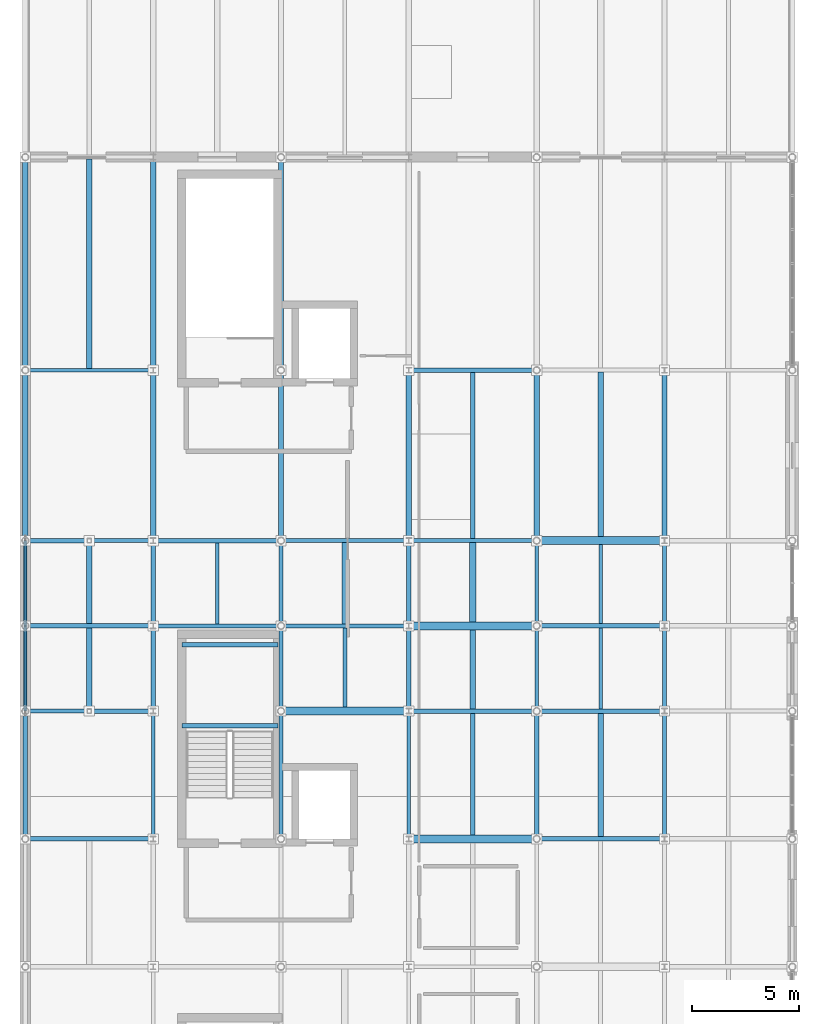
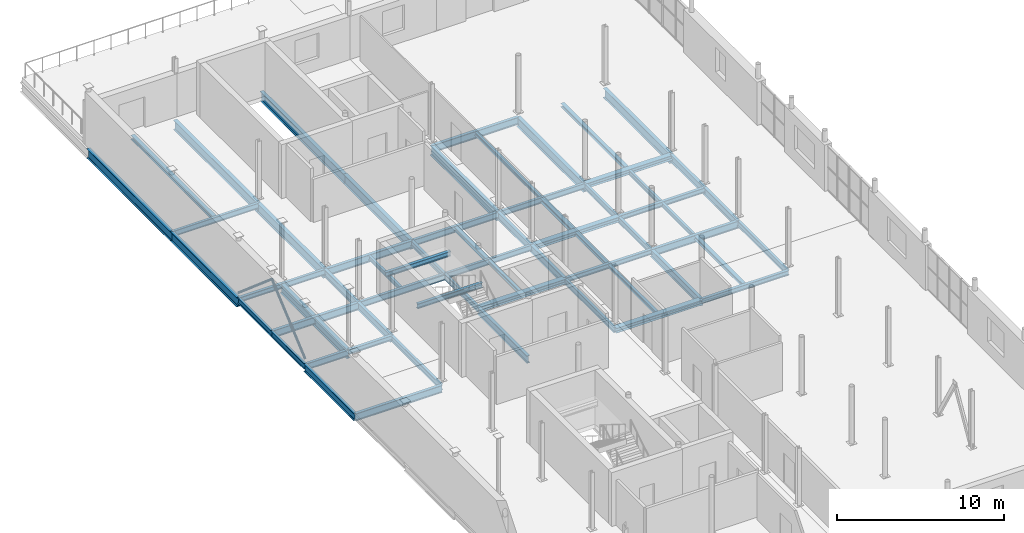
# One storey, part 15 of 30: 63 beams, 2 members.
"""IFC4 building model written with IfcOpenShell, lengths in metres."""

from ifc_helpers import new_model, si_unit, direction, frame, origin, origin_2d, place, context, subcontext, project, spatial, hollow_circle, i_section, extrude, material, material_profile, profile_set, type_object, element, save


model = new_model("IFC4")

# Units and contexts
model_context = context("Model", 3, precision=1e-05, world=origin(), true_north=direction((0.0, 1.0)))
body_context = subcontext(model_context, "Body", "Model", "MODEL_VIEW")
ifc_project = project(units=[si_unit("LENGTHUNIT", "METRE"), si_unit("AREAUNIT", "SQUARE_METRE"), si_unit("VOLUMEUNIT", "CUBIC_METRE"), si_unit("PLANEANGLEUNIT", "RADIAN"), si_unit("MASSUNIT", "GRAM", prefix="KILO")], contexts=[model_context])

# Site, building, storey
site_placement = place(None, origin())
site = spatial("IfcSite", under=ifc_project, at=site_placement, CompositionType="ELEMENT")
building_placement = place(site_placement, origin())
building = spatial("IfcBuilding", under=site, at=building_placement, Name="Verrall Gate Interchange", CompositionType="ELEMENT")
storey_placement = place(building_placement, frame((0.0, 0.0, 19.39990234375)))
storey = spatial("IfcBuildingStorey", under=building, at=storey_placement, Name="L05", CompositionType="ELEMENT", Elevation=19.39990234375)

# Beams
ifc_material_1 = material(Name="Structural Steel CSA G40.21 350WT Cat 4", Category="steel")
ifc_material_profile_1 = material_profile(ifc_material_1, i_section(OverallWidth=0.256103515625, OverallDepth=0.693115234375, WebThickness=0.01318359375, FlangeThickness=0.02001953125, FilletRadius=0.01611328125, at=origin_2d()), Name="W690x170")
ifc_profile_set_1 = profile_set([ifc_material_profile_1], Name="Structural Steel CSA G40.21 350WT Cat 4")
beam_type_1 = type_object("IfcBeamType", Name="B-07 Structural Beam W690x170", PredefinedType="BEAM", material=ifc_profile_set_1)
beam_1_placement = place(storey_placement, frame((0.0, 48.0, -0.676513671875), z_axis=(0.0, 1.0, 0.0), x_axis=(-1.0, 0.0, 0.0)))
element("IfcBeam", 1, at=beam_1_placement, inside=storey, type_object=beam_type_1, Name="L05 Girder BM-L05-2928 (B-07)", PredefinedType="BEAM", context=body_context, shape_type="SweptSolid", body=[
    extrude(i_section(OverallWidth=0.256103515625, OverallDepth=0.693115234375, WebThickness=0.01318359375, FlangeThickness=0.02001953125, FilletRadius=0.01611328125, at=origin_2d()), origin(), (0.0, 0.0, 1.0), 8.0),
])
beam_2_placement = place(storey_placement, frame((0.0, 56.0, -0.676513671875), z_axis=(0.0, 1.0, 0.0), x_axis=(-1.0, 0.0, 0.0)))
element("IfcBeam", 2, at=beam_2_placement, inside=storey, type_object=beam_type_1, Name="L05 Girder BM-L05-2929 (B-07)", PredefinedType="BEAM", context=body_context, shape_type="SweptSolid", body=[
    extrude(i_section(OverallWidth=0.256103515625, OverallDepth=0.693115234375, WebThickness=0.01318359375, FlangeThickness=0.02001953125, FilletRadius=0.01611328125, at=origin_2d()), origin(), (0.0, 0.0, 1.0), 10.0),
])
for number, where, z_axis, x_axis, name in (
    (3, (3.0, 40.0, -0.676513671875), (0.0, 1.0, 0.0), (-1.0, 0.0, 0.0), "L05 Girder BM-L05-2931 (B-07)"),
    (4, (6.0, 48.0, -0.676513671875), (0.0, 1.0, 0.0), (-1.0, 0.0, 0.0), "L05 Girder BM-L05-2941 (B-07)"),
):
    element("IfcBeam", number, at=place(storey_placement, frame(where, z_axis=z_axis, x_axis=x_axis)), inside=storey, type_object=beam_type_1, Name=name, PredefinedType="BEAM", context=body_context, shape_type="SweptSolid", body=[
        extrude(i_section(OverallWidth=0.256103515625, OverallDepth=0.693115234375, WebThickness=0.01318359375, FlangeThickness=0.02001953125, FilletRadius=0.01611328125, at=origin_2d()), origin(), (0.0, 0.0, 1.0), 8.0),
    ])
beam_3_placement = place(storey_placement, frame((6.0, 56.0, -0.676513671875), z_axis=(0.0, 1.0, 0.0), x_axis=(-1.0, 0.0, 0.0)))
element("IfcBeam", 5, at=beam_3_placement, inside=storey, type_object=beam_type_1, Name="L05 Girder BM-L05-2942 (B-07)", PredefinedType="BEAM", context=body_context, shape_type="SweptSolid", body=[
    extrude(i_section(OverallWidth=0.256103515625, OverallDepth=0.693115234375, WebThickness=0.01318359375, FlangeThickness=0.02001953125, FilletRadius=0.01611328125, at=origin_2d()), origin(), (0.0, 0.0, 1.0), 10.0),
])
beam_4_placement = place(storey_placement, frame((12.0, 48.0, -0.676513671875), z_axis=(0.0, 1.0, 0.0), x_axis=(-1.0, 0.0, 0.0)))
element("IfcBeam", 6, at=beam_4_placement, inside=storey, type_object=beam_type_1, Name="L05 Girder BM-L05-2953 (B-07)", PredefinedType="BEAM", context=body_context, shape_type="SweptSolid", body=[
    extrude(i_section(OverallWidth=0.256103515625, OverallDepth=0.693115234375, WebThickness=0.01318359375, FlangeThickness=0.02001953125, FilletRadius=0.01611328125, at=origin_2d()), origin(), (0.0, 0.0, 1.0), 8.0),
])
beam_5_placement = place(storey_placement, frame((12.0, 56.0, -0.676513671875), z_axis=(0.0, 1.0, 0.0), x_axis=(-1.0, 0.0, 0.0)))
element("IfcBeam", 7, at=beam_5_placement, inside=storey, type_object=beam_type_1, Name="L05 Girder BM-L05-2954 (B-07)", PredefinedType="BEAM", context=body_context, shape_type="SweptSolid", body=[
    extrude(i_section(OverallWidth=0.256103515625, OverallDepth=0.693115234375, WebThickness=0.01318359375, FlangeThickness=0.02001953125, FilletRadius=0.01611328125, at=origin_2d()), origin(), (0.0, 0.0, 1.0), 10.0),
])
for number, where, z_axis, x_axis, name in (
    (8, (18.0, 48.0, -0.676513671875), (0.0, 1.0, 0.0), (-1.0, 0.0, 0.0), "L05 Girder BM-L05-2965 (B-07)"),
    (9, (24.0, 48.0, -0.676513671875), (0.0, 1.0, 0.0), (-1.0, 0.0, 0.0), "L05 Girder BM-L05-2977 (B-07)"),
    (10, (30.0, 48.0, -0.676513671875), (0.0, 1.0, 0.0), (-1.0, 0.0, 0.0), "L05 Girder BM-L05-2989 (B-07)"),
):
    element("IfcBeam", number, at=place(storey_placement, frame(where, z_axis=z_axis, x_axis=x_axis)), inside=storey, type_object=beam_type_1, Name=name, PredefinedType="BEAM", context=body_context, shape_type="SweptSolid", body=[
        extrude(i_section(OverallWidth=0.256103515625, OverallDepth=0.693115234375, WebThickness=0.01318359375, FlangeThickness=0.02001953125, FilletRadius=0.01611328125, at=origin_2d()), origin(), (0.0, 0.0, 1.0), 8.0),
    ])
ifc_material_2 = material(Name="Structural Steel CSA G40.21 350W", Category="steel")
ifc_material_profile_2 = material_profile(ifc_material_2, i_section(OverallWidth=0.2109375, OverallDepth=0.5390625, WebThickness=0.01171875, FlangeThickness=0.018798828125, FilletRadius=0.013916015625, at=origin_2d()), Name="W530x109")
ifc_profile_set_2 = profile_set([ifc_material_profile_2], Name="Structural Steel CSA G40.21 350W")
beam_type_2 = type_object("IfcBeamType", Name="B-10 Structural Beam W530x109", PredefinedType="BEAM", material=ifc_profile_set_2)
for number, where, z_axis, x_axis, name in (
    (11, (0.0, 34.0, -0.599365234375), (1.0, 0.0, 0.0), (0.0, 1.0, 0.0), "L05 Girder BM-L05-2881 (B-10)"),
    (12, (24.0, 40.0, -0.599365234375), (1.0, 0.0, 0.0), (0.0, 1.0, 0.0), "L05 Girder BM-L05-2889 (B-10)"),
    (13, (0.0, 44.0, -0.599365234375), (1.0, 0.0, 0.0), (0.0, 1.0, 0.0), "L05 Girder BM-L05-2891 (B-10)"),
    (14, (6.0, 48.0, -0.599365234375), (1.0, 0.0, 0.0), (0.0, 1.0, 0.0), "L05 Girder BM-L05-2899 (B-10)"),
    (15, (18.0, 56.0, -0.599365234375), (1.0, 0.0, 0.0), (0.0, 1.0, 0.0), "L05 Girder BM-L05-2905 (B-10)"),
    (16, (0.0, 34.0, -0.599365234375), (0.0, 1.0, 0.0), (-1.0, 0.0, 0.0), "L05 Girder BM-L05-2925 (B-10)"),
):
    element("IfcBeam", number, at=place(storey_placement, frame(where, z_axis=z_axis, x_axis=x_axis)), inside=storey, type_object=beam_type_2, Name=name, PredefinedType="BEAM", context=body_context, shape_type="SweptSolid", body=[
        extrude(i_section(OverallWidth=0.2109375, OverallDepth=0.5390625, WebThickness=0.01171875, FlangeThickness=0.018798828125, FilletRadius=0.013916015625, at=origin_2d()), origin(), (0.0, 0.0, 1.0), 6.0),
    ])
for number, where, z_axis, x_axis, name in (
    (17, (6.0, 40.0, -0.599365234375), (0.0, 1.0, 0.0), (-1.0, 0.0, 0.0), "L05 Girder BM-L05-2939 (B-10)"),
    (18, (6.0, 44.0, -0.599365234375), (0.0, 1.0, 0.0), (-1.0, 0.0, 0.0), "L05 Girder BM-L05-2940 (B-10)"),
):
    element("IfcBeam", number, at=place(storey_placement, frame(where, z_axis=z_axis, x_axis=x_axis)), inside=storey, type_object=beam_type_2, Name=name, PredefinedType="BEAM", context=body_context, shape_type="SweptSolid", body=[
        extrude(i_section(OverallWidth=0.2109375, OverallDepth=0.5390625, WebThickness=0.01171875, FlangeThickness=0.018798828125, FilletRadius=0.013916015625, at=origin_2d()), origin(), (0.0, 0.0, 1.0), 4.0),
    ])
beam_6_placement = place(storey_placement, frame((12.0, 34.0, -0.599365234375), z_axis=(0.0, 1.0, 0.0), x_axis=(-1.0, 0.0, 0.0)))
element("IfcBeam", 19, at=beam_6_placement, inside=storey, type_object=beam_type_2, Name="L05 Girder BM-L05-2950 (B-10)", PredefinedType="BEAM", context=body_context, shape_type="SweptSolid", body=[
    extrude(i_section(OverallWidth=0.2109375, OverallDepth=0.5390625, WebThickness=0.01171875, FlangeThickness=0.018798828125, FilletRadius=0.013916015625, at=origin_2d()), origin(), (0.0, 0.0, 1.0), 6.0),
])
for number, where, z_axis, x_axis, name in (
    (20, (18.0, 40.0, -0.599365234375), (0.0, 1.0, 0.0), (-1.0, 0.0, 0.0), "L05 Girder BM-L05-2963 (B-10)"),
    (21, (18.0, 44.0, -0.599365234375), (0.0, 1.0, 0.0), (-1.0, 0.0, 0.0), "L05 Girder BM-L05-2964 (B-10)"),
):
    element("IfcBeam", number, at=place(storey_placement, frame(where, z_axis=z_axis, x_axis=x_axis)), inside=storey, type_object=beam_type_2, Name=name, PredefinedType="BEAM", context=body_context, shape_type="SweptSolid", body=[
        extrude(i_section(OverallWidth=0.2109375, OverallDepth=0.5390625, WebThickness=0.01171875, FlangeThickness=0.018798828125, FilletRadius=0.013916015625, at=origin_2d()), origin(), (0.0, 0.0, 1.0), 4.0),
    ])
beam_7_placement = place(storey_placement, frame((24.0, 34.0, -0.599365234375), z_axis=(0.0, 1.0, 0.0), x_axis=(-1.0, 0.0, 0.0)))
element("IfcBeam", 22, at=beam_7_placement, inside=storey, type_object=beam_type_2, Name="L05 Girder BM-L05-2974 (B-10)", PredefinedType="BEAM", context=body_context, shape_type="SweptSolid", body=[
    extrude(i_section(OverallWidth=0.2109375, OverallDepth=0.5390625, WebThickness=0.01171875, FlangeThickness=0.018798828125, FilletRadius=0.013916015625, at=origin_2d()), origin(), (0.0, 0.0, 1.0), 6.0),
])
for number, where, z_axis, x_axis, name in (
    (23, (30.0, 40.0, -0.599365234375), (0.0, 1.0, 0.0), (-1.0, 0.0, 0.0), "L05 Girder BM-L05-2987 (B-10)"),
    (24, (30.0, 44.0, -0.599365234375), (0.0, 1.0, 0.0), (-1.0, 0.0, 0.0), "L05 Girder BM-L05-2988 (B-10)"),
):
    element("IfcBeam", number, at=place(storey_placement, frame(where, z_axis=z_axis, x_axis=x_axis)), inside=storey, type_object=beam_type_2, Name=name, PredefinedType="BEAM", context=body_context, shape_type="SweptSolid", body=[
        extrude(i_section(OverallWidth=0.2109375, OverallDepth=0.5390625, WebThickness=0.01171875, FlangeThickness=0.018798828125, FilletRadius=0.013916015625, at=origin_2d()), origin(), (0.0, 0.0, 1.0), 4.0),
    ])
ifc_material_3 = material(Name="Structural Steel CSA G40.21 350W", Category="steel")
ifc_material_profile_3 = material_profile(ifc_material_3, i_section(OverallWidth=0.19189453125, OverallDepth=0.462890625, WebThickness=0.010498046875, FlangeThickness=0.017578125, FilletRadius=0.012939453125, at=origin_2d()), Name="W460x89")
ifc_profile_set_3 = profile_set([ifc_material_profile_3], Name="Structural Steel CSA G40.21 350W")
beam_type_3 = type_object("IfcBeamType", Name="B-11 Structural Beam W460x89", PredefinedType="BEAM", material=ifc_profile_set_3)
beam_8_placement = place(storey_placement, frame((0.0, 40.0, -0.5615234375), z_axis=(1.0, 0.0, 0.0), x_axis=(0.0, 1.0, 0.0)))
element("IfcBeam", 25, at=beam_8_placement, inside=storey, type_object=beam_type_3, Name="L05 Girder BM-L05-2885 (B-11)", PredefinedType="BEAM", context=body_context, shape_type="SweptSolid", body=[
    extrude(i_section(OverallWidth=0.19189453125, OverallDepth=0.462890625, WebThickness=0.010498046875, FlangeThickness=0.017578125, FilletRadius=0.012939453125, at=origin_2d()), origin(), (0.0, 0.0, 1.0), 3.0),
])
for number, where, z_axis, x_axis, name in (
    (26, (6.0, 44.0, -0.5615234375), (1.0, 0.0, 0.0), (0.0, 1.0, 0.0), "L05 Girder BM-L05-2892 (B-11)"),
    (27, (12.0, 48.0, -0.5615234375), (1.0, 0.0, 0.0), (0.0, 1.0, 0.0), "L05 Girder BM-L05-2900 (B-11)"),
):
    element("IfcBeam", number, at=place(storey_placement, frame(where, z_axis=z_axis, x_axis=x_axis)), inside=storey, type_object=beam_type_3, Name=name, PredefinedType="BEAM", context=body_context, shape_type="SweptSolid", body=[
        extrude(i_section(OverallWidth=0.19189453125, OverallDepth=0.462890625, WebThickness=0.010498046875, FlangeThickness=0.017578125, FilletRadius=0.012939453125, at=origin_2d()), origin(), (0.0, 0.0, 1.0), 6.0),
    ])
ifc_material_4 = material(Name="Structural Steel CSA G40.21 350W", Category="steel")
ifc_material_profile_4 = material_profile(ifc_material_4, i_section(OverallWidth=0.178955078125, OverallDepth=0.409912109375, WebThickness=0.0087890625, FlangeThickness=0.014404296875, FilletRadius=0.011962890625, at=origin_2d()), Name="W410x67")
ifc_profile_set_4 = profile_set([ifc_material_profile_4], Name="Structural Steel CSA G40.21 350W")
beam_type_4 = type_object("IfcBeamType", Name="B-12 Structural Beam W410x67", PredefinedType="BEAM", material=ifc_profile_set_4)
beam_9_placement = place(storey_placement, frame((12.0, 44.0, -0.534912109375), z_axis=(1.0, 0.0, 0.0), x_axis=(0.0, 1.0, 0.0)))
element("IfcBeam", 28, at=beam_9_placement, inside=storey, type_object=beam_type_4, Name="L05 Girder BM-L05-2893 (B-12)", PredefinedType="BEAM", context=body_context, shape_type="SweptSolid", body=[
    extrude(i_section(OverallWidth=0.178955078125, OverallDepth=0.409912109375, WebThickness=0.0087890625, FlangeThickness=0.014404296875, FilletRadius=0.011962890625, at=origin_2d()), origin(), (0.0, 0.0, 1.0), 6.0),
])
beam_10_placement = place(storey_placement, frame((3.0, 48.0, -0.534912109375), z_axis=(1.0, 0.0, 0.0), x_axis=(0.0, 1.0, 0.0)))
element("IfcBeam", 29, at=beam_10_placement, inside=storey, type_object=beam_type_4, Name="L05 Girder BM-L05-2898 (B-12)", PredefinedType="BEAM", context=body_context, shape_type="SweptSolid", body=[
    extrude(i_section(OverallWidth=0.178955078125, OverallDepth=0.409912109375, WebThickness=0.0087890625, FlangeThickness=0.014404296875, FilletRadius=0.011962890625, at=origin_2d()), origin(), (0.0, 0.0, 1.0), 3.0),
])
for number, where, z_axis, x_axis, name in (
    (30, (18.0, 48.0, -0.534912109375), (1.0, 0.0, 0.0), (0.0, 1.0, 0.0), "L05 Girder BM-L05-2901 (B-12)"),
    (31, (0.0, 56.0, -0.534912109375), (1.0, 0.0, 0.0), (0.0, 1.0, 0.0), "L05 Girder BM-L05-2904 (B-12)"),
):
    element("IfcBeam", number, at=place(storey_placement, frame(where, z_axis=z_axis, x_axis=x_axis)), inside=storey, type_object=beam_type_4, Name=name, PredefinedType="BEAM", context=body_context, shape_type="SweptSolid", body=[
        extrude(i_section(OverallWidth=0.178955078125, OverallDepth=0.409912109375, WebThickness=0.0087890625, FlangeThickness=0.014404296875, FilletRadius=0.011962890625, at=origin_2d()), origin(), (0.0, 0.0, 1.0), 6.0),
    ])
for number, where, z_axis, x_axis, name in (
    (32, (0.0, 40.0, -0.534912109375), (0.0, 1.0, 0.0), (-1.0, 0.0, 0.0), "L05 Girder BM-L05-2926 (B-12)"),
    (33, (0.0, 44.0, -0.534912109375), (0.0, 1.0, 0.0), (-1.0, 0.0, 0.0), "L05 Girder BM-L05-2927 (B-12)"),
):
    element("IfcBeam", number, at=place(storey_placement, frame(where, z_axis=z_axis, x_axis=x_axis)), inside=storey, type_object=beam_type_4, Name=name, PredefinedType="BEAM", context=body_context, shape_type="SweptSolid", body=[
        extrude(i_section(OverallWidth=0.178955078125, OverallDepth=0.409912109375, WebThickness=0.0087890625, FlangeThickness=0.014404296875, FilletRadius=0.011962890625, at=origin_2d()), origin(), (0.0, 0.0, 1.0), 4.0),
    ])
beam_11_placement = place(storey_placement, frame((6.0, 34.0, -0.534912109375), z_axis=(0.0, 1.0, 0.0), x_axis=(-1.0, 0.0, 0.0)))
element("IfcBeam", 34, at=beam_11_placement, inside=storey, type_object=beam_type_4, Name="L05 Girder BM-L05-2938 (B-12)", PredefinedType="BEAM", context=body_context, shape_type="SweptSolid", body=[
    extrude(i_section(OverallWidth=0.178955078125, OverallDepth=0.409912109375, WebThickness=0.0087890625, FlangeThickness=0.014404296875, FilletRadius=0.011962890625, at=origin_2d()), origin(), (0.0, 0.0, 1.0), 6.0),
])
for number, where, z_axis, x_axis, name in (
    (35, (12.0, 40.0, -0.534912109375), (0.0, 1.0, 0.0), (-1.0, 0.0, 0.0), "L05 Girder BM-L05-2951 (B-12)"),
    (36, (12.0, 44.0, -0.534912109375), (0.0, 1.0, 0.0), (-1.0, 0.0, 0.0), "L05 Girder BM-L05-2952 (B-12)"),
):
    element("IfcBeam", number, at=place(storey_placement, frame(where, z_axis=z_axis, x_axis=x_axis)), inside=storey, type_object=beam_type_4, Name=name, PredefinedType="BEAM", context=body_context, shape_type="SweptSolid", body=[
        extrude(i_section(OverallWidth=0.178955078125, OverallDepth=0.409912109375, WebThickness=0.0087890625, FlangeThickness=0.014404296875, FilletRadius=0.011962890625, at=origin_2d()), origin(), (0.0, 0.0, 1.0), 4.0),
    ])
beam_12_placement = place(storey_placement, frame((18.0, 34.0, -0.534912109375), z_axis=(0.0, 1.0, 0.0), x_axis=(-1.0, 0.0, 0.0)))
element("IfcBeam", 37, at=beam_12_placement, inside=storey, type_object=beam_type_4, Name="L05 Girder BM-L05-2962 (B-12)", PredefinedType="BEAM", context=body_context, shape_type="SweptSolid", body=[
    extrude(i_section(OverallWidth=0.178955078125, OverallDepth=0.409912109375, WebThickness=0.0087890625, FlangeThickness=0.014404296875, FilletRadius=0.011962890625, at=origin_2d()), origin(), (0.0, 0.0, 1.0), 6.0),
])
for number, where, z_axis, x_axis, name in (
    (38, (24.0, 40.0, -0.534912109375), (0.0, 1.0, 0.0), (-1.0, 0.0, 0.0), "L05 Girder BM-L05-2975 (B-12)"),
    (39, (24.0, 44.0, -0.534912109375), (0.0, 1.0, 0.0), (-1.0, 0.0, 0.0), "L05 Girder BM-L05-2976 (B-12)"),
):
    element("IfcBeam", number, at=place(storey_placement, frame(where, z_axis=z_axis, x_axis=x_axis)), inside=storey, type_object=beam_type_4, Name=name, PredefinedType="BEAM", context=body_context, shape_type="SweptSolid", body=[
        extrude(i_section(OverallWidth=0.178955078125, OverallDepth=0.409912109375, WebThickness=0.0087890625, FlangeThickness=0.014404296875, FilletRadius=0.011962890625, at=origin_2d()), origin(), (0.0, 0.0, 1.0), 4.0),
    ])
beam_13_placement = place(storey_placement, frame((30.0, 34.0, -0.534912109375), z_axis=(0.0, 1.0, 0.0), x_axis=(-1.0, 0.0, 0.0)))
element("IfcBeam", 40, at=beam_13_placement, inside=storey, type_object=beam_type_4, Name="L05 Girder BM-L05-2986 (B-12)", PredefinedType="BEAM", context=body_context, shape_type="SweptSolid", body=[
    extrude(i_section(OverallWidth=0.178955078125, OverallDepth=0.409912109375, WebThickness=0.0087890625, FlangeThickness=0.014404296875, FilletRadius=0.011962890625, at=origin_2d()), origin(), (0.0, 0.0, 1.0), 6.0),
])
ifc_material_5 = material(Name="Structural Steel CSA G40.21 350W", Category="steel")
ifc_material_profile_5 = material_profile(ifc_material_5, i_section(OverallWidth=0.368896484375, OverallDepth=0.35595703125, WebThickness=0.01123046875, FlangeThickness=0.01806640625, FilletRadius=0.014892578125, at=origin_2d()), Name="W360x134")
ifc_profile_set_5 = profile_set([ifc_material_profile_5], Name="Structural Steel CSA G40.21 350W")
beam_type_5 = type_object("IfcBeamType", Name="B-13 Structural Beam W360x134", PredefinedType="BEAM", material=ifc_profile_set_5)
for number, where, z_axis, x_axis, name in (
    (41, (18.0, 34.0, -0.5078125), (1.0, 0.0, 0.0), (0.0, 1.0, 0.0), "L05 Girder BM-L05-2882 (B-13)"),
    (42, (12.0, 40.0, -0.5078125), (1.0, 0.0, 0.0), (0.0, 1.0, 0.0), "L05 Girder BM-L05-2887 (B-13)"),
    (43, (18.0, 44.0, -0.5078125), (1.0, 0.0, 0.0), (0.0, 1.0, 0.0), "L05 Girder BM-L05-2894 (B-13)"),
    (44, (24.0, 48.0, -0.5078125), (1.0, 0.0, 0.0), (0.0, 1.0, 0.0), "L05 Girder BM-L05-2902 (B-13)"),
):
    element("IfcBeam", number, at=place(storey_placement, frame(where, z_axis=z_axis, x_axis=x_axis)), inside=storey, type_object=beam_type_5, Name=name, PredefinedType="BEAM", context=body_context, shape_type="SweptSolid", body=[
        extrude(i_section(OverallWidth=0.368896484375, OverallDepth=0.35595703125, WebThickness=0.01123046875, FlangeThickness=0.01806640625, FilletRadius=0.014892578125, at=origin_2d()), origin(), (0.0, 0.0, 1.0), 6.0),
    ])
ifc_material_6 = material(Name="Structural Steel CSA G40.21 350W", Category="steel")
ifc_material_profile_6 = material_profile(ifc_material_6, i_section(OverallWidth=0.205078125, OverallDepth=0.35400390625, WebThickness=0.009521484375, FlangeThickness=0.016845703125, FilletRadius=0.012939453125, at=origin_2d()), Name="W360x79")
ifc_profile_set_6 = profile_set([ifc_material_profile_6], Name="Structural Steel CSA G40.21 350W")
beam_type_6 = type_object("IfcBeamType", Name="B-14 Structural Beam W360x79", PredefinedType="BEAM", material=ifc_profile_set_6)
beam_14_placement = place(storey_placement, frame((24.0, 34.0, -0.5068359375), z_axis=(1.0, 0.0, 0.0), x_axis=(0.0, 1.0, 0.0)))
element("IfcBeam", 45, at=beam_14_placement, inside=storey, type_object=beam_type_6, Name="L05 Girder BM-L05-2883 (B-14)", PredefinedType="BEAM", context=body_context, shape_type="SweptSolid", body=[
    extrude(i_section(OverallWidth=0.205078125, OverallDepth=0.35400390625, WebThickness=0.009521484375, FlangeThickness=0.016845703125, FilletRadius=0.012939453125, at=origin_2d()), origin(), (0.0, 0.0, 1.0), 6.0),
])
beam_15_placement = place(storey_placement, frame((3.0, 40.0, -0.5068359375), z_axis=(1.0, 0.0, 0.0), x_axis=(0.0, 1.0, 0.0)))
element("IfcBeam", 46, at=beam_15_placement, inside=storey, type_object=beam_type_6, Name="L05 Girder BM-L05-2886 (B-14)", PredefinedType="BEAM", context=body_context, shape_type="SweptSolid", body=[
    extrude(i_section(OverallWidth=0.205078125, OverallDepth=0.35400390625, WebThickness=0.009521484375, FlangeThickness=0.016845703125, FilletRadius=0.012939453125, at=origin_2d()), origin(), (0.0, 0.0, 1.0), 3.0),
])
for number, where, z_axis, x_axis, name in (
    (47, (18.0, 40.0, -0.5068359375), (1.0, 0.0, 0.0), (0.0, 1.0, 0.0), "L05 Girder BM-L05-2888 (B-14)"),
    (48, (24.0, 44.0, -0.5068359375), (1.0, 0.0, 0.0), (0.0, 1.0, 0.0), "L05 Girder BM-L05-2895 (B-14)"),
):
    element("IfcBeam", number, at=place(storey_placement, frame(where, z_axis=z_axis, x_axis=x_axis)), inside=storey, type_object=beam_type_6, Name=name, PredefinedType="BEAM", context=body_context, shape_type="SweptSolid", body=[
        extrude(i_section(OverallWidth=0.205078125, OverallDepth=0.35400390625, WebThickness=0.009521484375, FlangeThickness=0.016845703125, FilletRadius=0.012939453125, at=origin_2d()), origin(), (0.0, 0.0, 1.0), 6.0),
    ])
beam_16_placement = place(storey_placement, frame((0.0, 48.0, -0.5068359375), z_axis=(1.0, 0.0, 0.0), x_axis=(0.0, 1.0, 0.0)))
element("IfcBeam", 49, at=beam_16_placement, inside=storey, type_object=beam_type_6, Name="L05 Girder BM-L05-2897 (B-14)", PredefinedType="BEAM", context=body_context, shape_type="SweptSolid", body=[
    extrude(i_section(OverallWidth=0.205078125, OverallDepth=0.35400390625, WebThickness=0.009521484375, FlangeThickness=0.016845703125, FilletRadius=0.012939453125, at=origin_2d()), origin(), (0.0, 0.0, 1.0), 3.0),
])
for number, where, z_axis, x_axis, name in (
    (50, (7.35009765625, 39.31005859375, 1.72998046875), (1.0, 0.0, 0.0), (0.0, 1.0, 0.0), "L05 Core C2 Mid-Landing Beam 1"),
    (51, (7.35009765625, 43.1201171875, 1.72998046875), (1.0, 0.0, 0.0), (0.0, 1.0, 0.0), "L05 Core C2 Mid-Landing Beam 2"),
):
    element("IfcBeam", number, at=place(storey_placement, frame(where, z_axis=z_axis, x_axis=x_axis)), inside=storey, type_object=beam_type_6, Name=name, PredefinedType="BEAM", context=body_context, shape_type="SweptSolid", body=[
        extrude(i_section(OverallWidth=0.205078125, OverallDepth=0.35400390625, WebThickness=0.009521484375, FlangeThickness=0.016845703125, FilletRadius=0.012939453125, at=origin_2d()), origin(), (0.0, 0.0, 1.0), 4.5),
    ])

# Members
ifc_material_7 = material(Name="Structural Steel CSA G40.21 350W", Category="steel")
ifc_material_profile_7 = material_profile(ifc_material_7, hollow_circle(Radius=0.084228515625, WallThickness=0.00634765625, at=origin_2d()), Name="HSS168x6.4")
ifc_profile_set_7 = profile_set([ifc_material_profile_7], Name="Structural Steel CSA G40.21 350W")
member_type = type_object("IfcMemberType", Name="BR-03 Diagonal Brace HSS168x6.4", PredefinedType="BRACE", material=ifc_profile_set_7)
for number, where, z_axis, x_axis, name in (
    (52, (0.0, 40.0, 0.0), (0.0, 0.760045211024, 0.649870200271), (-1.0, 0.0, 0.0), "Chevron Brace CBF3 L05 Leg A"),
    (53, (0.0, 48.0, 0.0), (0.0, -0.760045211024, 0.649870200271), (1.0, 0.0, 0.0), "Chevron Brace CBF3 L05 Leg B"),
):
    element("IfcMember", number, at=place(storey_placement, frame(where, z_axis=z_axis, x_axis=x_axis)), inside=storey, type_object=member_type, Name=name, PredefinedType="BRACE", context=body_context, shape_type="SweptSolid", body=[
        extrude(hollow_circle(Radius=0.084228515625, WallThickness=0.00634765625, at=origin_2d()), origin(), (0.0, 0.0, 1.0), 5.262939453125),
    ])

# Beams
ifc_material_8 = material(Name="Structural Steel CSA G40.21 350W", Category="steel")
ifc_material_profile_8 = material_profile(ifc_material_8, i_section(OverallWidth=0.172119140625, OverallDepth=0.35791015625, WebThickness=0.0078125, FlangeThickness=0.01318359375, FilletRadius=0.010986328125, at=origin_2d()), Name="W360x57")
ifc_profile_set_8 = profile_set([ifc_material_profile_8], Name="Structural Steel CSA G40.21 350W")
beam_type_7 = type_object("IfcBeamType", Name="J-01 Floor Joist W360x57", PredefinedType="JOIST", material=ifc_profile_set_8)
beam_17_placement = place(storey_placement, frame((27.0, 44.1025390625, -0.5087890625), z_axis=(0.0, 1.0, 0.0), x_axis=(-1.0, 0.0, 0.0)))
element("IfcBeam", 54, at=beam_17_placement, inside=storey, type_object=beam_type_7, Name="L05 Secondary Floor Joist JST-L05-3039", PredefinedType="JOIST", context=body_context, shape_type="SweptSolid", body=[
    extrude(i_section(OverallWidth=0.172119140625, OverallDepth=0.35791015625, WebThickness=0.0078125, FlangeThickness=0.01318359375, FilletRadius=0.010986328125, at=origin_2d()), origin(), (0.0, 0.0, 1.0), 3.712890625),
])
ifc_material_9 = material(Name="Structural Steel CSA G40.21 350W", Category="steel")
ifc_material_profile_9 = material_profile(ifc_material_9, i_section(OverallWidth=0.306884765625, OverallDepth=0.31396484375, WebThickness=0.011962890625, FlangeThickness=0.018798828125, FilletRadius=0.013916015625, at=origin_2d()), Name="W310x118")
ifc_profile_set_9 = profile_set([ifc_material_profile_9], Name="Structural Steel CSA G40.21 350W")
beam_type_8 = type_object("IfcBeamType", Name="J-02 Floor Joist W310x118", PredefinedType="JOIST", material=ifc_profile_set_9)
beam_18_placement = place(storey_placement, frame((21.0, 44.1845703125, -0.48681640625), z_axis=(0.0, 1.0, 0.0), x_axis=(-1.0, 0.0, 0.0)))
element("IfcBeam", 55, at=beam_18_placement, inside=storey, type_object=beam_type_8, Name="L05 Secondary Floor Joist JST-L05-3038", PredefinedType="JOIST", context=body_context, shape_type="SweptSolid", body=[
    extrude(i_section(OverallWidth=0.306884765625, OverallDepth=0.31396484375, WebThickness=0.011962890625, FlangeThickness=0.018798828125, FilletRadius=0.013916015625, at=origin_2d()), origin(), (0.0, 0.0, 1.0), 3.725830078125),
])
ifc_material_10 = material(Name="Structural Steel CSA G40.21 350W", Category="steel")
ifc_material_profile_10 = material_profile(ifc_material_10, i_section(OverallWidth=0.25390625, OverallDepth=0.305908203125, WebThickness=0.0087890625, FlangeThickness=0.0146484375, FilletRadius=0.012939453125, at=origin_2d()), Name="W310x79")
ifc_profile_set_10 = profile_set([ifc_material_profile_10], Name="Structural Steel CSA G40.21 350W")
beam_type_9 = type_object("IfcBeamType", Name="J-03 Floor Joist W310x79", PredefinedType="JOIST", material=ifc_profile_set_10)
beam_19_placement = place(storey_placement, frame((15.0, 44.089599609375, -0.48291015625), z_axis=(0.0, 1.0, 0.0), x_axis=(-1.0, 0.0, 0.0)))
element("IfcBeam", 56, at=beam_19_placement, inside=storey, type_object=beam_type_9, Name="L05 Secondary Floor Joist JST-L05-3037", PredefinedType="JOIST", context=body_context, shape_type="SweptSolid", body=[
    extrude(i_section(OverallWidth=0.25390625, OverallDepth=0.305908203125, WebThickness=0.0087890625, FlangeThickness=0.0146484375, FilletRadius=0.012939453125, at=origin_2d()), origin(), (0.0, 0.0, 1.0), 3.814453125),
])
beam_20_placement = place(storey_placement, frame((3.0, 56.089599609375, -0.48291015625), z_axis=(0.0, 1.0, 0.0), x_axis=(-1.0, 0.0, 0.0)))
element("IfcBeam", 57, at=beam_20_placement, inside=storey, type_object=beam_type_9, Name="L05 Secondary Floor Joist JST-L05-3044", PredefinedType="JOIST", context=body_context, shape_type="SweptSolid", body=[
    extrude(i_section(OverallWidth=0.25390625, OverallDepth=0.305908203125, WebThickness=0.0087890625, FlangeThickness=0.0146484375, FilletRadius=0.012939453125, at=origin_2d()), origin(), (0.0, 0.0, 1.0), 9.82080078125),
])
ifc_material_11 = material(Name="Structural Steel CSA G40.21 350W", Category="steel")
ifc_material_profile_11 = material_profile(ifc_material_11, i_section(OverallWidth=0.1650390625, OverallDepth=0.31005859375, WebThickness=0.005859375, FlangeThickness=0.009765625, FilletRadius=0.010009765625, at=origin_2d()), Name="W310x39")
ifc_profile_set_11 = profile_set([ifc_material_profile_11], Name="Structural Steel CSA G40.21 350W")
beam_type_10 = type_object("IfcBeamType", Name="J-04 Floor Joist W310x39", PredefinedType="JOIST", material=ifc_profile_set_11)
beam_21_placement = place(storey_placement, frame((27.0, 40.10546875, -0.48486328125), z_axis=(0.0, 1.0, 0.0), x_axis=(-1.0, 0.0, 0.0)))
element("IfcBeam", 58, at=beam_21_placement, inside=storey, type_object=beam_type_10, Name="L05 Secondary Floor Joist JST-L05-3034", PredefinedType="JOIST", context=body_context, shape_type="SweptSolid", body=[
    extrude(i_section(OverallWidth=0.1650390625, OverallDepth=0.31005859375, WebThickness=0.005859375, FlangeThickness=0.009765625, FilletRadius=0.010009765625, at=origin_2d()), origin(), (0.0, 0.0, 1.0), 3.7919921875),
])
beam_22_placement = place(storey_placement, frame((9.0, 44.095947265625, -0.48486328125), z_axis=(0.0, 1.0, 0.0), x_axis=(-1.0, 0.0, 0.0)))
element("IfcBeam", 59, at=beam_22_placement, inside=storey, type_object=beam_type_10, Name="L05 Secondary Floor Joist JST-L05-3036", PredefinedType="JOIST", context=body_context, shape_type="SweptSolid", body=[
    extrude(i_section(OverallWidth=0.1650390625, OverallDepth=0.31005859375, WebThickness=0.005859375, FlangeThickness=0.009765625, FilletRadius=0.010009765625, at=origin_2d()), origin(), (0.0, 0.0, 1.0), 3.798583984375),
])
ifc_material_12 = material(Name="Structural Steel CSA G40.21 350W", Category="steel")
ifc_material_profile_12 = material_profile(ifc_material_12, i_section(OverallWidth=0.25390625, OverallDepth=0.2529296875, WebThickness=0.008544921875, FlangeThickness=0.01416015625, FilletRadius=0.011962890625, at=origin_2d()), Name="W250x73")
ifc_profile_set_12 = profile_set([ifc_material_profile_12], Name="Structural Steel CSA G40.21 350W")
beam_type_11 = type_object("IfcBeamType", Name="J-05 Floor Joist W250x73", PredefinedType="JOIST", material=ifc_profile_set_12)
beam_23_placement = place(storey_placement, frame((27.0, 34.1025390625, -0.456298828125), z_axis=(0.0, 1.0, 0.0), x_axis=(-1.0, 0.0, 0.0)))
element("IfcBeam", 60, at=beam_23_placement, inside=storey, type_object=beam_type_11, Name="L05 Secondary Floor Joist JST-L05-3030", PredefinedType="JOIST", context=body_context, shape_type="SweptSolid", body=[
    extrude(i_section(OverallWidth=0.25390625, OverallDepth=0.2529296875, WebThickness=0.008544921875, FlangeThickness=0.01416015625, FilletRadius=0.011962890625, at=origin_2d()), origin(), (0.0, 0.0, 1.0), 5.7919921875),
])
beam_24_placement = place(storey_placement, frame((21.0, 40.1025390625, -0.456298828125), z_axis=(0.0, 1.0, 0.0), x_axis=(-1.0, 0.0, 0.0)))
element("IfcBeam", 61, at=beam_24_placement, inside=storey, type_object=beam_type_11, Name="L05 Secondary Floor Joist JST-L05-3033", PredefinedType="JOIST", context=body_context, shape_type="SweptSolid", body=[
    extrude(i_section(OverallWidth=0.25390625, OverallDepth=0.2529296875, WebThickness=0.008544921875, FlangeThickness=0.01416015625, FilletRadius=0.011962890625, at=origin_2d()), origin(), (0.0, 0.0, 1.0), 3.712890625),
])
beam_25_placement = place(storey_placement, frame((27.0, 48.1845703125, -0.456298828125), z_axis=(0.0, 1.0, 0.0), x_axis=(-1.0, 0.0, 0.0)))
element("IfcBeam", 62, at=beam_25_placement, inside=storey, type_object=beam_type_11, Name="L05 Secondary Floor Joist JST-L05-3042", PredefinedType="JOIST", context=body_context, shape_type="SweptSolid", body=[
    extrude(i_section(OverallWidth=0.25390625, OverallDepth=0.2529296875, WebThickness=0.008544921875, FlangeThickness=0.01416015625, FilletRadius=0.011962890625, at=origin_2d()), origin(), (0.0, 0.0, 1.0), 7.719482421875),
])
ifc_material_13 = material(Name="Structural Steel CSA G40.21 350W", Category="steel")
ifc_material_profile_13 = material_profile(ifc_material_13, i_section(OverallWidth=0.201904296875, OverallDepth=0.2470703125, WebThickness=0.00732421875, FlangeThickness=0.010986328125, FilletRadius=0.010986328125, at=origin_2d()), Name="W250x49")
ifc_profile_set_13 = profile_set([ifc_material_profile_13], Name="Structural Steel CSA G40.21 350W")
beam_type_12 = type_object("IfcBeamType", Name="J-06 Floor Joist W250x49", PredefinedType="JOIST", material=ifc_profile_set_13)
beam_26_placement = place(storey_placement, frame((21.0, 34.1845703125, -0.453369140625), z_axis=(0.0, 1.0, 0.0), x_axis=(-1.0, 0.0, 0.0)))
element("IfcBeam", 63, at=beam_26_placement, inside=storey, type_object=beam_type_12, Name="L05 Secondary Floor Joist JST-L05-3029", PredefinedType="JOIST", context=body_context, shape_type="SweptSolid", body=[
    extrude(i_section(OverallWidth=0.201904296875, OverallDepth=0.2470703125, WebThickness=0.00732421875, FlangeThickness=0.010986328125, FilletRadius=0.010986328125, at=origin_2d()), origin(), (0.0, 0.0, 1.0), 5.712890625),
])
beam_27_placement = place(storey_placement, frame((15.0, 40.1845703125, -0.453369140625), z_axis=(0.0, 1.0, 0.0), x_axis=(-1.0, 0.0, 0.0)))
element("IfcBeam", 64, at=beam_27_placement, inside=storey, type_object=beam_type_12, Name="L05 Secondary Floor Joist JST-L05-3032", PredefinedType="JOIST", context=body_context, shape_type="SweptSolid", body=[
    extrude(i_section(OverallWidth=0.201904296875, OverallDepth=0.2470703125, WebThickness=0.00732421875, FlangeThickness=0.010986328125, FilletRadius=0.010986328125, at=origin_2d()), origin(), (0.0, 0.0, 1.0), 3.725830078125),
])
beam_28_placement = place(storey_placement, frame((21.0, 48.089599609375, -0.453369140625), z_axis=(0.0, 1.0, 0.0), x_axis=(-1.0, 0.0, 0.0)))
element("IfcBeam", 65, at=beam_28_placement, inside=storey, type_object=beam_type_12, Name="L05 Secondary Floor Joist JST-L05-3041", PredefinedType="JOIST", context=body_context, shape_type="SweptSolid", body=[
    extrude(i_section(OverallWidth=0.201904296875, OverallDepth=0.2470703125, WebThickness=0.00732421875, FlangeThickness=0.010986328125, FilletRadius=0.010986328125, at=origin_2d()), origin(), (0.0, 0.0, 1.0), 7.804931640625),
])

save(model, "model.ifc")
